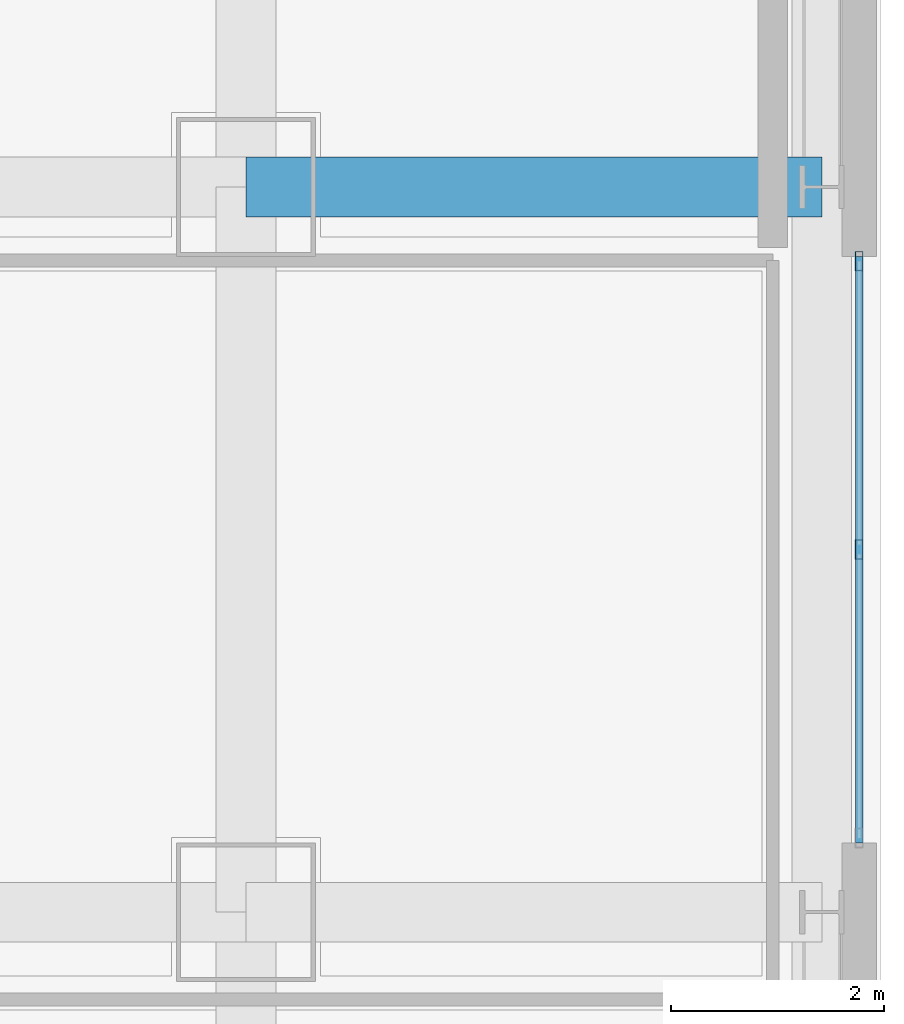
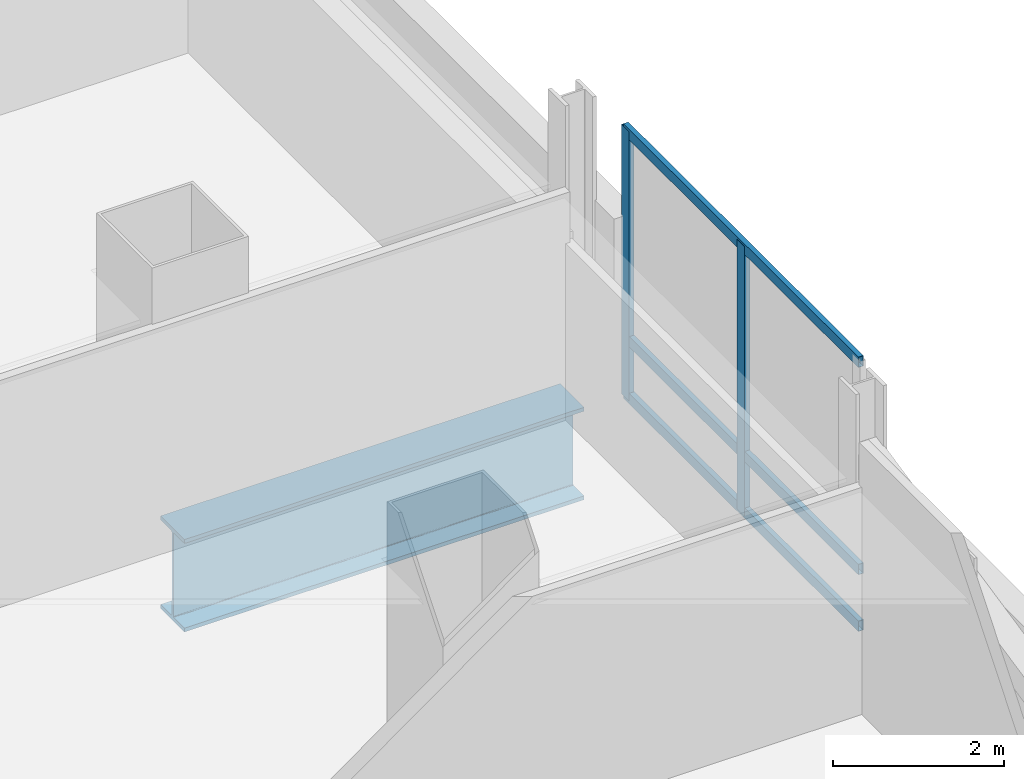
# One storey, part 9 of 30: 5 members, 1 beam, 1 element without a shape of its own.
"""IFC4 building model written with IfcOpenShell, lengths in metres."""

from ifc_helpers import new_model, si_unit, direction, frame, origin, origin_2d, place, context, subcontext, project, spatial, hollow_rectangle, i_section, extrude, material, material_profile, profile_set, type_object, element, aggregate, save


model = new_model("IFC4")

# Units and contexts
model_context = context("Model", 3, precision=1e-05, world=origin(), true_north=direction((0.0, 1.0)))
body_context = subcontext(model_context, "Body", "Model", "MODEL_VIEW")
ifc_project = project(units=[si_unit("LENGTHUNIT", "METRE"), si_unit("AREAUNIT", "SQUARE_METRE"), si_unit("VOLUMEUNIT", "CUBIC_METRE"), si_unit("PLANEANGLEUNIT", "RADIAN"), si_unit("MASSUNIT", "GRAM", prefix="KILO")], contexts=[model_context])

# Site, building, storey
site_placement = place(None, origin())
site = spatial("IfcSite", under=ifc_project, at=site_placement, CompositionType="ELEMENT")
building_placement = place(site_placement, origin())
building = spatial("IfcBuilding", under=site, at=building_placement, Name="Punatoya Terracotta Tower", CompositionType="ELEMENT")
storey_placement = place(building_placement, frame((0.0, 0.0, 251.39990234375)))
storey = spatial("IfcBuildingStorey", under=building, at=storey_placement, Name="L59", CompositionType="ELEMENT", Elevation=251.39990234375)

# Beam
ifc_material_1 = material(Name="Steel S460", Category="steel")
ifc_material_profile_1 = material_profile(ifc_material_1, i_section(OverallWidth=0.56005859375, OverallDepth=1.320068359375, WebThickness=0.035888671875, FlangeThickness=0.054931640625, FilletRadius=0.01806640625, at=origin_2d()))
ifc_profile_set_1 = profile_set([ifc_material_profile_1], Name="Steel S460")
beam_type = type_object("IfcBeamType", Name="BM-TG-BLK", PredefinedType="BEAM", material=ifc_profile_set_1)
beam_placement = place(storey_placement, frame((19.10009765625, 3.39990234375, -0.93994140625), z_axis=(1.0, 0.0, 0.0), x_axis=(0.0, 1.0, 0.0)))
element("IfcBeam", 1, at=beam_placement, inside=storey, type_object=beam_type, Name="BM-L59-CANT-E3", PredefinedType="BEAM", context=body_context, shape_type="SweptSolid", body=[
    extrude(i_section(OverallWidth=0.56005859375, OverallDepth=1.320068359375, WebThickness=0.035888671875, FlangeThickness=0.054931640625, FilletRadius=0.01806640625, at=origin_2d()), origin(), (0.0, 0.0, 1.0), 5.39990234375),
])

# Curtain wall, members
ifc_material_2 = material(Name="Aluminium 6063-T6 + Double Low-E Glass", Category="aluminium")
curtain_wall_type = type_object("IfcCurtainWallType", Name="CW-M3", PredefinedType="NOTDEFINED", material=ifc_material_2)
curtain_wall_placement = place(storey_placement, origin())
curtain_wall = element("IfcCurtainWall", 2, at=curtain_wall_placement, inside=storey, type_object=curtain_wall_type, Name="L59 Curtain Wall CW-L59-E05-1", PredefinedType="NOTDEFINED")
ifc_material_3 = material(Name="Aluminium 6063-T6", Category="aluminium")
ifc_material_profile_2 = material_profile(ifc_material_3, hollow_rectangle(XDim=0.070068359375, YDim=0.179931640625, WallThickness=0.00390625, at=origin_2d()))
ifc_profile_set_2 = profile_set([ifc_material_profile_2], Name="Aluminium 6063-T6")
member_type_1 = type_object("IfcMemberType", Name="CW-MUL-M3", PredefinedType="MULLION", material=ifc_profile_set_2)
member_1_placement = place(storey_placement, frame((24.85009765625, 0.0, 0.0), z_axis=(0.0, 0.0, 1.0), x_axis=(1.0, 0.0, 0.0)))
member_1 = element("IfcMember", 3, at=member_1_placement, type_object=member_type_1, Name="CW-L59-E05-1 Mullion 01", PredefinedType="MULLION", context=body_context, shape_type="SweptSolid", body=[
    extrude(hollow_rectangle(XDim=0.070068359375, YDim=0.179931640625, WallThickness=0.00390625, at=origin_2d()), origin(), (0.0, 0.0, 1.0), 3.85009765625),
])
member_2_placement = place(storey_placement, frame((24.85009765625, 2.705078125, 0.0), z_axis=(0.0, 0.0, 1.0), x_axis=(1.0, 0.0, 0.0)))
member_2 = element("IfcMember", 4, at=member_2_placement, type_object=member_type_1, Name="CW-L59-E05-1 Mullion 02", PredefinedType="MULLION", context=body_context, shape_type="SweptSolid", body=[
    extrude(hollow_rectangle(XDim=0.070068359375, YDim=0.179931640625, WallThickness=0.00390625, at=origin_2d()), origin(), (0.0, 0.0, 1.0), 3.85009765625),
])
ifc_material_profile_3 = material_profile(ifc_material_3, hollow_rectangle(XDim=0.068115234375, YDim=0.14990234375, WallThickness=0.00390625, at=origin_2d()))
ifc_profile_set_3 = profile_set([ifc_material_profile_3], Name="Aluminium 6063-T6")
member_type_2 = type_object("IfcMemberType", Name="CW-TRN-TYP", PredefinedType="USERDEFINED", material=ifc_profile_set_3)
member_3_placement = place(storey_placement, frame((24.85009765625, -2.75, 0.0400390625), z_axis=(0.0, 1.0, 0.0), x_axis=(-1.0, 0.0, 0.0)))
member_3 = element("IfcMember", 5, at=member_3_placement, type_object=member_type_2, Name="CW-L59-E05-1 Transom 1", ObjectType="TRANSOM", PredefinedType="USERDEFINED", context=body_context, shape_type="SweptSolid", body=[
    extrude(hollow_rectangle(XDim=0.068115234375, YDim=0.14990234375, WallThickness=0.00390625, at=origin_2d()), origin(), (0.0, 0.0, 1.0), 5.5),
])
member_4_placement = place(storey_placement, frame((24.85009765625, -2.75, 0.85009765625), z_axis=(0.0, 1.0, 0.0), x_axis=(-1.0, 0.0, 0.0)))
member_4 = element("IfcMember", 6, at=member_4_placement, type_object=member_type_2, Name="CW-L59-E05-1 Transom 2", ObjectType="TRANSOM", PredefinedType="USERDEFINED", context=body_context, shape_type="SweptSolid", body=[
    extrude(hollow_rectangle(XDim=0.068115234375, YDim=0.14990234375, WallThickness=0.00390625, at=origin_2d()), origin(), (0.0, 0.0, 1.0), 5.5),
])
member_5_placement = place(storey_placement, frame((24.85009765625, -2.75, 3.81005859375), z_axis=(0.0, 1.0, 0.0), x_axis=(-1.0, 0.0, 0.0)))
member_5 = element("IfcMember", 7, at=member_5_placement, type_object=member_type_2, Name="CW-L59-E05-1 Transom 3", ObjectType="TRANSOM", PredefinedType="USERDEFINED", context=body_context, shape_type="SweptSolid", body=[
    extrude(hollow_rectangle(XDim=0.068115234375, YDim=0.14990234375, WallThickness=0.00390625, at=origin_2d()), origin(), (0.0, 0.0, 1.0), 5.5),
])
aggregate(curtain_wall, [member_1, member_2, member_3, member_4, member_5])

save(model, "model.ifc")
